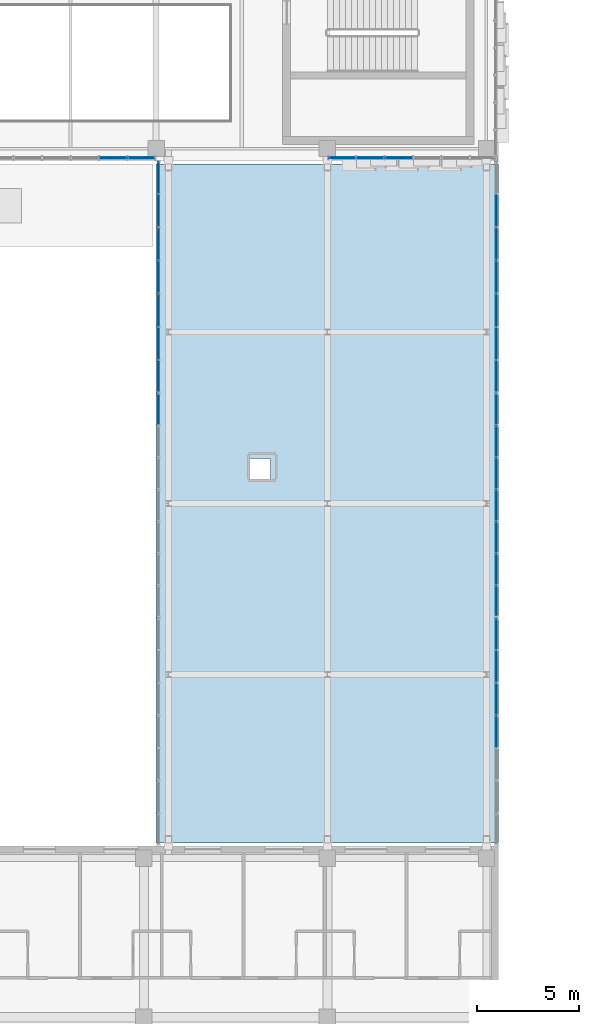
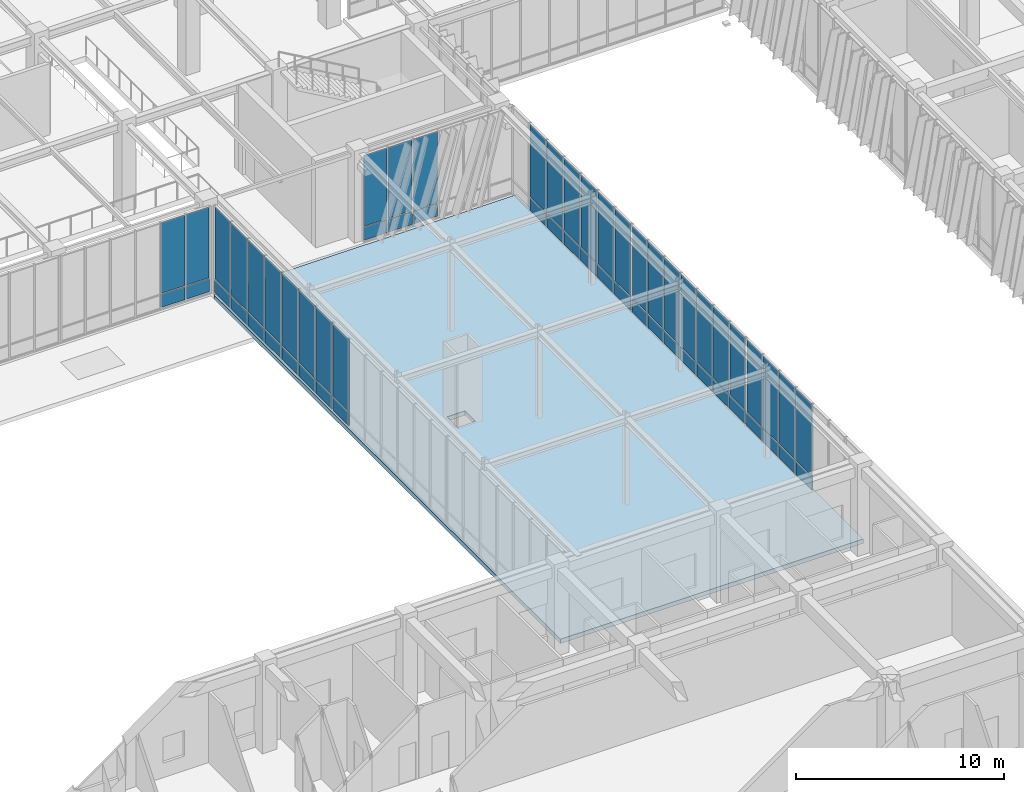
# One storey, part 89 of 139: 60 plates, 1 slab, 7 elements without a shape of their own.
"""IFC4 building model written with IfcOpenShell, lengths in metres."""

from ifc_helpers import new_model, si_unit, direction, frame, origin, origin_2d, place, context, subcontext, project, spatial, polyline, rectangle, outline, extrude, material, layer, layer_set, type_object, element, aggregate, save


model = new_model("IFC4")

# Units and contexts
model_context = context("Model", 3, precision=1e-05, world=origin(), true_north=direction((0.0, 1.0)))
body_context = subcontext(model_context, "Body", "Model", "MODEL_VIEW")
ifc_project = project(units=[si_unit("LENGTHUNIT", "METRE"), si_unit("AREAUNIT", "SQUARE_METRE"), si_unit("VOLUMEUNIT", "CUBIC_METRE"), si_unit("PLANEANGLEUNIT", "RADIAN"), si_unit("MASSUNIT", "GRAM", prefix="KILO")], contexts=[model_context])

# Site, building, storey
site_placement = place(None, origin())
site = spatial("IfcSite", under=ifc_project, at=site_placement, CompositionType="ELEMENT")
building_placement = place(site_placement, origin())
building = spatial("IfcBuilding", under=site, at=building_placement, Name="Zayran Congress Hotel", CompositionType="ELEMENT")
storey_placement = place(building_placement, frame((0.0, 0.0, 5.39990234375)))
storey = spatial("IfcBuildingStorey", under=building, at=storey_placement, Name="L01", CompositionType="ELEMENT", Elevation=5.39990234375)

# Slab
ifc_material_1 = material(Name="Concrete C40/50", Category="concrete")
ifc_layer_1 = layer(ifc_material_1, 0.25)
ifc_layer_set_1 = layer_set([ifc_layer_1], Name="Concrete C40/50")
slab_type = type_object("IfcSlabType", Name="SL-BR-250", PredefinedType="FLOOR", material=ifc_layer_set_1)
slab_placement = place(storey_placement, frame((0.0, 0.0, -0.25)))
element("IfcSlab", 1, at=slab_placement, inside=storey, type_object=slab_type, Name="SLB-BR2-L01", PredefinedType="FLOOR", context=body_context, shape_type="SweptSolid", body=[
    extrude(outline(polyline([(75.60009765625, 34.14990234375), (92.39990234375, 34.14990234375), (92.39990234375, 67.449951171875), (75.60009765625, 67.449951171875), (75.60009765625, 34.14990234375)]), holes=[polyline([(80.199951171875, 52.0), (81.199951171875, 52.0), (81.199951171875, 53.0), (80.199951171875, 53.0), (80.199951171875, 52.0)])]), origin(), (0.0, 0.0, 1.0), 0.25),
])

# Curtain wall, plates
ifc_material_2 = material(Name="Anodised aluminium and low-E insulated glass", Category="aluminium")
ifc_layer_2 = layer(ifc_material_2, 0.179931640625)
ifc_layer_set_2 = layer_set([ifc_layer_2], Name="Anodised aluminium and low-E insulated glass")
curtain_wall_type_1 = type_object("IfcCurtainWallType", Name="CW-V1S-L01-CW-12-8380-5080", PredefinedType="USERDEFINED", material=ifc_layer_set_2)
curtain_wall_1_placement = place(storey_placement, origin())
curtain_wall_1 = element("IfcCurtainWall", 2, at=curtain_wall_1_placement, inside=storey, type_object=curtain_wall_type_1, Name="CW-V1S-L01-7", ObjectType="CURTAIN WALL", PredefinedType="USERDEFINED")
ifc_layer_3 = layer(ifc_material_2, 0.028076171875)
ifc_layer_set_3 = layer_set([ifc_layer_3], Name="Anodised aluminium and low-E insulated glass")
plate_type_1 = type_object("IfcPlateType", Name="CWP-GL-1277-4150", PredefinedType="CURTAIN_PANEL", material=ifc_layer_set_3)
plate_1_placement = place(storey_placement, frame((73.4951171875, 67.75, 0.8701171875), z_axis=(0.0, 0.0, 1.0), x_axis=(1.0, 0.0, 0.0)))
plate_1 = element("IfcPlate", 3, at=plate_1_placement, type_object=plate_type_1, Name="CW-12 Glazed Panel 5", PredefinedType="CURTAIN_PANEL", context=body_context, shape_type="SweptSolid", body=[
    extrude(rectangle(XDim=1.316650390625, YDim=0.028076171875, at=origin_2d()), origin(), (0.0, 0.0, 1.0), 4.14990234375),
])
plate_2_placement = place(storey_placement, frame((74.87158203125, 67.75, 0.8701171875), z_axis=(0.0, 0.0, 1.0), x_axis=(1.0, 0.0, 0.0)))
plate_2 = element("IfcPlate", 4, at=plate_2_placement, type_object=plate_type_1, Name="CW-12 Glazed Panel 6", PredefinedType="CURTAIN_PANEL", context=body_context, shape_type="SweptSolid", body=[
    extrude(rectangle(XDim=1.276611328125, YDim=0.028076171875, at=origin_2d()), origin(), (0.0, 0.0, 1.0), 4.14990234375),
])

ifc_layer_4 = layer(ifc_material_2, 0.179931640625)
ifc_layer_set_4 = layer_set([ifc_layer_4], Name="Anodised aluminium and low-E insulated glass")
curtain_wall_type_2 = type_object("IfcCurtainWallType", Name="CW-V1S-L01-CW-11-8380-5080", PredefinedType="USERDEFINED", material=ifc_layer_set_4)
curtain_wall_2_placement = place(storey_placement, origin())
curtain_wall_2 = element("IfcCurtainWall", 5, at=curtain_wall_2_placement, inside=storey, type_object=curtain_wall_type_2, Name="CW-V1S-L01-9", ObjectType="CURTAIN WALL", PredefinedType="USERDEFINED")
plate_3_placement = place(storey_placement, frame((84.728271484375, 67.75, 0.8701171875), z_axis=(0.0, 0.0, 1.0), x_axis=(1.0, 0.0, 0.0)))
plate_3 = element("IfcPlate", 6, at=plate_3_placement, type_object=plate_type_1, Name="CW-11 Glazed Panel 1", PredefinedType="CURTAIN_PANEL", context=body_context, shape_type="SweptSolid", body=[
    extrude(rectangle(XDim=1.276611328125, YDim=0.028076171875, at=origin_2d()), origin(), (0.0, 0.0, 1.0), 4.14990234375),
])
plate_4_placement = place(storey_placement, frame((86.10498046875, 67.75, 0.8701171875), z_axis=(0.0, 0.0, 1.0), x_axis=(1.0, 0.0, 0.0)))
plate_4 = element("IfcPlate", 7, at=plate_4_placement, type_object=plate_type_1, Name="CW-11 Glazed Panel 2", PredefinedType="CURTAIN_PANEL", context=body_context, shape_type="SweptSolid", body=[
    extrude(rectangle(XDim=1.316650390625, YDim=0.028076171875, at=origin_2d()), origin(), (0.0, 0.0, 1.0), 4.14990234375),
])
plate_5_placement = place(storey_placement, frame((87.501708984375, 67.75, 0.8701171875), z_axis=(0.0, 0.0, 1.0), x_axis=(1.0, 0.0, 0.0)))
plate_5 = element("IfcPlate", 8, at=plate_5_placement, type_object=plate_type_1, Name="CW-11 Glazed Panel 3", PredefinedType="CURTAIN_PANEL", context=body_context, shape_type="SweptSolid", body=[
    extrude(rectangle(XDim=1.316650390625, YDim=0.028076171875, at=origin_2d()), origin(), (0.0, 0.0, 1.0), 4.14990234375),
])

# Plate
ifc_material_3 = material(Name="Insulated warm bronze aluminium spandrel panel", Category="aluminium")
ifc_layer_5 = layer(ifc_material_3, 0.06005859375)
ifc_layer_set_5 = layer_set([ifc_layer_5], Name="Insulated warm bronze aluminium spandrel panel")
plate_type_2 = type_object("IfcPlateType", Name="CWP-SP-1277-750", PredefinedType="CURTAIN_PANEL", material=ifc_layer_set_5)
plate_6_placement = place(storey_placement, frame((73.4951171875, 67.75, 0.06005859375), z_axis=(0.0, 0.0, 1.0), x_axis=(1.0, 0.0, 0.0)))
plate_6 = element("IfcPlate", 9, at=plate_6_placement, type_object=plate_type_2, Name="CW-12 Spandrel Panel 5", PredefinedType="CURTAIN_PANEL", context=body_context, shape_type="SweptSolid", body=[
    extrude(rectangle(XDim=1.316650390625, YDim=0.06005859375, at=origin_2d()), origin(), (0.0, 0.0, 1.0), 0.75),
])

plate_7_placement = place(storey_placement, frame((74.87158203125, 67.75, 0.06005859375), z_axis=(0.0, 0.0, 1.0), x_axis=(1.0, 0.0, 0.0)))
plate_7 = element("IfcPlate", 10, at=plate_7_placement, type_object=plate_type_2, Name="CW-12 Spandrel Panel 6", PredefinedType="CURTAIN_PANEL", context=body_context, shape_type="SweptSolid", body=[
    extrude(rectangle(XDim=1.276611328125, YDim=0.06005859375, at=origin_2d()), origin(), (0.0, 0.0, 1.0), 0.75),
])

aggregate(curtain_wall_1, [plate_6, plate_1, plate_7, plate_2])

plate_8_placement = place(storey_placement, frame((84.728271484375, 67.75, 0.06005859375), z_axis=(0.0, 0.0, 1.0), x_axis=(1.0, 0.0, 0.0)))
plate_8 = element("IfcPlate", 11, at=plate_8_placement, type_object=plate_type_2, Name="CW-11 Spandrel Panel 1", PredefinedType="CURTAIN_PANEL", context=body_context, shape_type="SweptSolid", body=[
    extrude(rectangle(XDim=1.276611328125, YDim=0.06005859375, at=origin_2d()), origin(), (0.0, 0.0, 1.0), 0.75),
])

plate_9_placement = place(storey_placement, frame((86.10498046875, 67.75, 0.06005859375), z_axis=(0.0, 0.0, 1.0), x_axis=(1.0, 0.0, 0.0)))
plate_9 = element("IfcPlate", 12, at=plate_9_placement, type_object=plate_type_2, Name="CW-11 Spandrel Panel 2", PredefinedType="CURTAIN_PANEL", context=body_context, shape_type="SweptSolid", body=[
    extrude(rectangle(XDim=1.316650390625, YDim=0.06005859375, at=origin_2d()), origin(), (0.0, 0.0, 1.0), 0.75),
])

plate_10_placement = place(storey_placement, frame((87.501708984375, 67.75, 0.06005859375), z_axis=(0.0, 0.0, 1.0), x_axis=(1.0, 0.0, 0.0)))
plate_10 = element("IfcPlate", 13, at=plate_10_placement, type_object=plate_type_2, Name="CW-11 Spandrel Panel 3", PredefinedType="CURTAIN_PANEL", context=body_context, shape_type="SweptSolid", body=[
    extrude(rectangle(XDim=1.316650390625, YDim=0.06005859375, at=origin_2d()), origin(), (0.0, 0.0, 1.0), 0.75),
])

aggregate(curtain_wall_2, [plate_8, plate_3, plate_9, plate_4, plate_10, plate_5])

# Curtain wall, plates
ifc_layer_6 = layer(ifc_material_2, 0.179931640625)
ifc_layer_set_6 = layer_set([ifc_layer_6], Name="Anodised aluminium and low-E insulated glass")
curtain_wall_type_3 = type_object("IfcCurtainWallType", Name="CW-BR2-L01-CW-BR2-11200-5160", PredefinedType="USERDEFINED", material=ifc_layer_set_6)
curtain_wall_3_placement = place(storey_placement, origin())
curtain_wall_3 = element("IfcCurtainWall", 14, at=curtain_wall_3_placement, inside=storey, type_object=curtain_wall_type_3, Name="CW-BR2E-L01-0", ObjectType="CURTAIN WALL", PredefinedType="USERDEFINED")
ifc_layer_7 = layer(ifc_material_3, 0.06005859375)
ifc_layer_set_7 = layer_set([ifc_layer_7], Name="Insulated warm bronze aluminium spandrel panel")
plate_type_3 = type_object("IfcPlateType", Name="CWP-SP-1480-750", PredefinedType="CURTAIN_PANEL", material=ifc_layer_set_7)
plate_11_placement = place(storey_placement, frame((92.280029296875, 39.60009765625, 0.06005859375), z_axis=(0.0, 0.0, 1.0), x_axis=(0.0, 1.0, 0.0)))
plate_11 = element("IfcPlate", 15, at=plate_11_placement, type_object=plate_type_3, Name="CW-BR2 Spandrel Panel 4", PredefinedType="CURTAIN_PANEL", context=body_context, shape_type="SweptSolid", body=[
    extrude(rectangle(XDim=1.52001953125, YDim=0.06005859375, at=origin_2d()), origin(), (0.0, 0.0, 1.0), 0.75),
])
plate_12_placement = place(storey_placement, frame((92.280029296875, 41.199951171875, 0.06005859375), z_axis=(0.0, 0.0, 1.0), x_axis=(0.0, 1.0, 0.0)))
plate_12 = element("IfcPlate", 16, at=plate_12_placement, type_object=plate_type_3, Name="CW-BR2 Spandrel Panel 5", PredefinedType="CURTAIN_PANEL", context=body_context, shape_type="SweptSolid", body=[
    extrude(rectangle(XDim=1.52001953125, YDim=0.06005859375, at=origin_2d()), origin(), (0.0, 0.0, 1.0), 0.75),
])
plate_13_placement = place(storey_placement, frame((92.280029296875, 42.800048828125, 0.06005859375), z_axis=(0.0, 0.0, 1.0), x_axis=(0.0, 1.0, 0.0)))
plate_13 = element("IfcPlate", 17, at=plate_13_placement, type_object=plate_type_3, Name="CW-BR2 Spandrel Panel 6", PredefinedType="CURTAIN_PANEL", context=body_context, shape_type="SweptSolid", body=[
    extrude(rectangle(XDim=1.52001953125, YDim=0.06005859375, at=origin_2d()), origin(), (0.0, 0.0, 1.0), 0.75),
])
plate_14_placement = place(storey_placement, frame((92.280029296875, 44.3798828125, 0.06005859375), z_axis=(0.0, 0.0, 1.0), x_axis=(0.0, 1.0, 0.0)))
plate_14 = element("IfcPlate", 18, at=plate_14_placement, type_object=plate_type_3, Name="CW-BR2 Spandrel Panel 7", PredefinedType="CURTAIN_PANEL", context=body_context, shape_type="SweptSolid", body=[
    extrude(rectangle(XDim=1.47998046875, YDim=0.06005859375, at=origin_2d()), origin(), (0.0, 0.0, 1.0), 0.75),
])

# Curtain wall, plate
ifc_layer_8 = layer(ifc_material_2, 0.179931640625)
ifc_layer_set_8 = layer_set([ifc_layer_8], Name="Anodised aluminium and low-E insulated glass")
curtain_wall_type_4 = type_object("IfcCurtainWallType", Name="CW-BR2-L01-CW-BR2-11000-5160", PredefinedType="USERDEFINED", material=ifc_layer_set_8)
curtain_wall_4_placement = place(storey_placement, origin())
curtain_wall_4 = element("IfcCurtainWall", 19, at=curtain_wall_4_placement, inside=storey, type_object=curtain_wall_type_4, Name="CW-BR2W-L01-1", ObjectType="CURTAIN WALL", PredefinedType="USERDEFINED")
ifc_layer_9 = layer(ifc_material_3, 0.06005859375)
ifc_layer_set_9 = layer_set([ifc_layer_9], Name="Insulated warm bronze aluminium spandrel panel")
plate_type_4 = type_object("IfcPlateType", Name="CWP-SP-1451-750", PredefinedType="CURTAIN_PANEL", material=ifc_layer_set_9)
plate_15_placement = place(storey_placement, frame((75.719970703125, 55.394287109375, 0.06005859375), z_axis=(0.0, 0.0, 1.0), x_axis=(0.0, 1.0, 0.0)))
plate_15 = element("IfcPlate", 20, at=plate_15_placement, type_object=plate_type_4, Name="CW-BR2 Spandrel Panel 1", PredefinedType="CURTAIN_PANEL", context=body_context, shape_type="SweptSolid", body=[
    extrude(rectangle(XDim=1.451416015625, YDim=0.06005859375, at=origin_2d()), origin(), (0.0, 0.0, 1.0), 0.75),
])

# Curtain wall, plates
curtain_wall_5_placement = place(storey_placement, origin())
curtain_wall_5 = element("IfcCurtainWall", 21, at=curtain_wall_5_placement, inside=storey, type_object=curtain_wall_type_4, Name="CW-BR2E-L01-1", ObjectType="CURTAIN WALL", PredefinedType="USERDEFINED")
plate_16_placement = place(storey_placement, frame((92.280029296875, 46.005615234375, 0.06005859375), z_axis=(0.0, 0.0, 1.0), x_axis=(0.0, 1.0, 0.0)))
plate_16 = element("IfcPlate", 22, at=plate_16_placement, type_object=plate_type_4, Name="CW-BR2 Spandrel Panel 1", PredefinedType="CURTAIN_PANEL", context=body_context, shape_type="SweptSolid", body=[
    extrude(rectangle(XDim=1.451416015625, YDim=0.06005859375, at=origin_2d()), origin(), (0.0, 0.0, 1.0), 0.75),
])
plate_17_placement = place(storey_placement, frame((92.280029296875, 47.55712890625, 0.06005859375), z_axis=(0.0, 0.0, 1.0), x_axis=(0.0, 1.0, 0.0)))
plate_17 = element("IfcPlate", 23, at=plate_17_placement, type_object=plate_type_4, Name="CW-BR2 Spandrel Panel 2", PredefinedType="CURTAIN_PANEL", context=body_context, shape_type="SweptSolid", body=[
    extrude(rectangle(XDim=1.491455078125, YDim=0.06005859375, at=origin_2d()), origin(), (0.0, 0.0, 1.0), 0.75),
])
plate_18_placement = place(storey_placement, frame((92.280029296875, 49.128662109375, 0.06005859375), z_axis=(0.0, 0.0, 1.0), x_axis=(0.0, 1.0, 0.0)))
plate_18 = element("IfcPlate", 24, at=plate_18_placement, type_object=plate_type_4, Name="CW-BR2 Spandrel Panel 3", PredefinedType="CURTAIN_PANEL", context=body_context, shape_type="SweptSolid", body=[
    extrude(rectangle(XDim=1.491455078125, YDim=0.06005859375, at=origin_2d()), origin(), (0.0, 0.0, 1.0), 0.75),
])
plate_19_placement = place(storey_placement, frame((92.280029296875, 50.699951171875, 0.06005859375), z_axis=(0.0, 0.0, 1.0), x_axis=(0.0, 1.0, 0.0)))
plate_19 = element("IfcPlate", 25, at=plate_19_placement, type_object=plate_type_4, Name="CW-BR2 Spandrel Panel 4", PredefinedType="CURTAIN_PANEL", context=body_context, shape_type="SweptSolid", body=[
    extrude(rectangle(XDim=1.491455078125, YDim=0.06005859375, at=origin_2d()), origin(), (0.0, 0.0, 1.0), 0.75),
])
plate_20_placement = place(storey_placement, frame((92.280029296875, 52.271484375, 0.06005859375), z_axis=(0.0, 0.0, 1.0), x_axis=(0.0, 1.0, 0.0)))
plate_20 = element("IfcPlate", 26, at=plate_20_placement, type_object=plate_type_4, Name="CW-BR2 Spandrel Panel 5", PredefinedType="CURTAIN_PANEL", context=body_context, shape_type="SweptSolid", body=[
    extrude(rectangle(XDim=1.491455078125, YDim=0.06005859375, at=origin_2d()), origin(), (0.0, 0.0, 1.0), 0.75),
])
plate_21_placement = place(storey_placement, frame((92.280029296875, 53.843017578125, 0.06005859375), z_axis=(0.0, 0.0, 1.0), x_axis=(0.0, 1.0, 0.0)))
plate_21 = element("IfcPlate", 27, at=plate_21_placement, type_object=plate_type_4, Name="CW-BR2 Spandrel Panel 6", PredefinedType="CURTAIN_PANEL", context=body_context, shape_type="SweptSolid", body=[
    extrude(rectangle(XDim=1.491455078125, YDim=0.06005859375, at=origin_2d()), origin(), (0.0, 0.0, 1.0), 0.75),
])
plate_22_placement = place(storey_placement, frame((92.280029296875, 55.394287109375, 0.06005859375), z_axis=(0.0, 0.0, 1.0), x_axis=(0.0, 1.0, 0.0)))
plate_22 = element("IfcPlate", 28, at=plate_22_placement, type_object=plate_type_4, Name="CW-BR2 Spandrel Panel 7", PredefinedType="CURTAIN_PANEL", context=body_context, shape_type="SweptSolid", body=[
    extrude(rectangle(XDim=1.451416015625, YDim=0.06005859375, at=origin_2d()), origin(), (0.0, 0.0, 1.0), 0.75),
])

ifc_layer_10 = layer(ifc_material_2, 0.179931640625)
ifc_layer_set_10 = layer_set([ifc_layer_10], Name="Anodised aluminium and low-E insulated glass")
curtain_wall_type_5 = type_object("IfcCurtainWallType", Name="CW-BR2-L01-CW-BR2-11400-5160", PredefinedType="USERDEFINED", material=ifc_layer_set_10)
curtain_wall_6_placement = place(storey_placement, origin())
curtain_wall_6 = element("IfcCurtainWall", 29, at=curtain_wall_6_placement, inside=storey, type_object=curtain_wall_type_5, Name="CW-BR2W-L01-2", ObjectType="CURTAIN WALL", PredefinedType="USERDEFINED")
ifc_layer_11 = layer(ifc_material_3, 0.06005859375)
ifc_layer_set_11 = layer_set([ifc_layer_11], Name="Insulated warm bronze aluminium spandrel panel")
plate_type_5 = type_object("IfcPlateType", Name="CWP-SP-1509-750", PredefinedType="CURTAIN_PANEL", material=ifc_layer_set_11)
plate_23_placement = place(storey_placement, frame((75.719970703125, 66.765625, 0.06005859375), z_axis=(0.0, 0.0, 1.0), x_axis=(0.0, 1.0, 0.0)))
plate_23 = element("IfcPlate", 30, at=plate_23_placement, type_object=plate_type_5, Name="CW-BR2 Spandrel Panel 1", PredefinedType="CURTAIN_PANEL", context=body_context, shape_type="SweptSolid", body=[
    extrude(rectangle(XDim=1.508544921875, YDim=0.06005859375, at=origin_2d()), origin(), (0.0, 0.0, 1.0), 0.75),
])
plate_24_placement = place(storey_placement, frame((75.719970703125, 65.156982421875, 0.06005859375), z_axis=(0.0, 0.0, 1.0), x_axis=(0.0, 1.0, 0.0)))
plate_24 = element("IfcPlate", 31, at=plate_24_placement, type_object=plate_type_5, Name="CW-BR2 Spandrel Panel 2", PredefinedType="CURTAIN_PANEL", context=body_context, shape_type="SweptSolid", body=[
    extrude(rectangle(XDim=1.548583984375, YDim=0.06005859375, at=origin_2d()), origin(), (0.0, 0.0, 1.0), 0.75),
])
plate_25_placement = place(storey_placement, frame((75.719970703125, 63.528564453125, 0.06005859375), z_axis=(0.0, 0.0, 1.0), x_axis=(0.0, 1.0, 0.0)))
plate_25 = element("IfcPlate", 32, at=plate_25_placement, type_object=plate_type_5, Name="CW-BR2 Spandrel Panel 3", PredefinedType="CURTAIN_PANEL", context=body_context, shape_type="SweptSolid", body=[
    extrude(rectangle(XDim=1.548583984375, YDim=0.06005859375, at=origin_2d()), origin(), (0.0, 0.0, 1.0), 0.75),
])
plate_26_placement = place(storey_placement, frame((75.719970703125, 61.89990234375, 0.06005859375), z_axis=(0.0, 0.0, 1.0), x_axis=(0.0, 1.0, 0.0)))
plate_26 = element("IfcPlate", 33, at=plate_26_placement, type_object=plate_type_5, Name="CW-BR2 Spandrel Panel 4", PredefinedType="CURTAIN_PANEL", context=body_context, shape_type="SweptSolid", body=[
    extrude(rectangle(XDim=1.548583984375, YDim=0.06005859375, at=origin_2d()), origin(), (0.0, 0.0, 1.0), 0.75),
])
plate_27_placement = place(storey_placement, frame((75.719970703125, 60.271484375, 0.06005859375), z_axis=(0.0, 0.0, 1.0), x_axis=(0.0, 1.0, 0.0)))
plate_27 = element("IfcPlate", 34, at=plate_27_placement, type_object=plate_type_5, Name="CW-BR2 Spandrel Panel 5", PredefinedType="CURTAIN_PANEL", context=body_context, shape_type="SweptSolid", body=[
    extrude(rectangle(XDim=1.548583984375, YDim=0.06005859375, at=origin_2d()), origin(), (0.0, 0.0, 1.0), 0.75),
])
plate_28_placement = place(storey_placement, frame((75.719970703125, 58.642822265625, 0.06005859375), z_axis=(0.0, 0.0, 1.0), x_axis=(0.0, 1.0, 0.0)))
plate_28 = element("IfcPlate", 35, at=plate_28_placement, type_object=plate_type_5, Name="CW-BR2 Spandrel Panel 6", PredefinedType="CURTAIN_PANEL", context=body_context, shape_type="SweptSolid", body=[
    extrude(rectangle(XDim=1.548583984375, YDim=0.06005859375, at=origin_2d()), origin(), (0.0, 0.0, 1.0), 0.75),
])
plate_29_placement = place(storey_placement, frame((75.719970703125, 57.0341796875, 0.06005859375), z_axis=(0.0, 0.0, 1.0), x_axis=(0.0, 1.0, 0.0)))
plate_29 = element("IfcPlate", 36, at=plate_29_placement, type_object=plate_type_5, Name="CW-BR2 Spandrel Panel 7", PredefinedType="CURTAIN_PANEL", context=body_context, shape_type="SweptSolid", body=[
    extrude(rectangle(XDim=1.508544921875, YDim=0.06005859375, at=origin_2d()), origin(), (0.0, 0.0, 1.0), 0.75),
])

curtain_wall_7_placement = place(storey_placement, origin())
curtain_wall_7 = element("IfcCurtainWall", 37, at=curtain_wall_7_placement, inside=storey, type_object=curtain_wall_type_5, Name="CW-BR2E-L01-2", ObjectType="CURTAIN WALL", PredefinedType="USERDEFINED")
plate_30_placement = place(storey_placement, frame((92.280029296875, 57.0341796875, 0.06005859375), z_axis=(0.0, 0.0, 1.0), x_axis=(0.0, 1.0, 0.0)))
plate_30 = element("IfcPlate", 38, at=plate_30_placement, type_object=plate_type_5, Name="CW-BR2 Spandrel Panel 1", PredefinedType="CURTAIN_PANEL", context=body_context, shape_type="SweptSolid", body=[
    extrude(rectangle(XDim=1.508544921875, YDim=0.06005859375, at=origin_2d()), origin(), (0.0, 0.0, 1.0), 0.75),
])
plate_31_placement = place(storey_placement, frame((92.280029296875, 58.642822265625, 0.06005859375), z_axis=(0.0, 0.0, 1.0), x_axis=(0.0, 1.0, 0.0)))
plate_31 = element("IfcPlate", 39, at=plate_31_placement, type_object=plate_type_5, Name="CW-BR2 Spandrel Panel 2", PredefinedType="CURTAIN_PANEL", context=body_context, shape_type="SweptSolid", body=[
    extrude(rectangle(XDim=1.548583984375, YDim=0.06005859375, at=origin_2d()), origin(), (0.0, 0.0, 1.0), 0.75),
])
plate_32_placement = place(storey_placement, frame((92.280029296875, 60.271484375, 0.06005859375), z_axis=(0.0, 0.0, 1.0), x_axis=(0.0, 1.0, 0.0)))
plate_32 = element("IfcPlate", 40, at=plate_32_placement, type_object=plate_type_5, Name="CW-BR2 Spandrel Panel 3", PredefinedType="CURTAIN_PANEL", context=body_context, shape_type="SweptSolid", body=[
    extrude(rectangle(XDim=1.548583984375, YDim=0.06005859375, at=origin_2d()), origin(), (0.0, 0.0, 1.0), 0.75),
])
plate_33_placement = place(storey_placement, frame((92.280029296875, 61.89990234375, 0.06005859375), z_axis=(0.0, 0.0, 1.0), x_axis=(0.0, 1.0, 0.0)))
plate_33 = element("IfcPlate", 41, at=plate_33_placement, type_object=plate_type_5, Name="CW-BR2 Spandrel Panel 4", PredefinedType="CURTAIN_PANEL", context=body_context, shape_type="SweptSolid", body=[
    extrude(rectangle(XDim=1.548583984375, YDim=0.06005859375, at=origin_2d()), origin(), (0.0, 0.0, 1.0), 0.75),
])
plate_34_placement = place(storey_placement, frame((92.280029296875, 63.528564453125, 0.06005859375), z_axis=(0.0, 0.0, 1.0), x_axis=(0.0, 1.0, 0.0)))
plate_34 = element("IfcPlate", 42, at=plate_34_placement, type_object=plate_type_5, Name="CW-BR2 Spandrel Panel 5", PredefinedType="CURTAIN_PANEL", context=body_context, shape_type="SweptSolid", body=[
    extrude(rectangle(XDim=1.548583984375, YDim=0.06005859375, at=origin_2d()), origin(), (0.0, 0.0, 1.0), 0.75),
])
plate_35_placement = place(storey_placement, frame((92.280029296875, 65.156982421875, 0.06005859375), z_axis=(0.0, 0.0, 1.0), x_axis=(0.0, 1.0, 0.0)))
plate_35 = element("IfcPlate", 43, at=plate_35_placement, type_object=plate_type_5, Name="CW-BR2 Spandrel Panel 6", PredefinedType="CURTAIN_PANEL", context=body_context, shape_type="SweptSolid", body=[
    extrude(rectangle(XDim=1.548583984375, YDim=0.06005859375, at=origin_2d()), origin(), (0.0, 0.0, 1.0), 0.75),
])

# Plate
ifc_layer_12 = layer(ifc_material_2, 0.028076171875)
ifc_layer_set_12 = layer_set([ifc_layer_12], Name="Anodised aluminium and low-E insulated glass")
plate_type_6 = type_object("IfcPlateType", Name="CWP-GL-1480-4230", PredefinedType="CURTAIN_PANEL", material=ifc_layer_set_12)
plate_36_placement = place(storey_placement, frame((92.280029296875, 39.60009765625, 0.8701171875), z_axis=(0.0, 0.0, 1.0), x_axis=(0.0, 1.0, 0.0)))
plate_36 = element("IfcPlate", 44, at=plate_36_placement, type_object=plate_type_6, Name="CW-BR2 Glazed Panel 4", PredefinedType="CURTAIN_PANEL", context=body_context, shape_type="SweptSolid", body=[
    extrude(rectangle(XDim=1.52001953125, YDim=0.028076171875, at=origin_2d()), origin(), (0.0, 0.0, 1.0), 4.22998046875),
])

plate_37_placement = place(storey_placement, frame((92.280029296875, 41.199951171875, 0.8701171875), z_axis=(0.0, 0.0, 1.0), x_axis=(0.0, 1.0, 0.0)))
plate_37 = element("IfcPlate", 45, at=plate_37_placement, type_object=plate_type_6, Name="CW-BR2 Glazed Panel 5", PredefinedType="CURTAIN_PANEL", context=body_context, shape_type="SweptSolid", body=[
    extrude(rectangle(XDim=1.52001953125, YDim=0.028076171875, at=origin_2d()), origin(), (0.0, 0.0, 1.0), 4.22998046875),
])

plate_38_placement = place(storey_placement, frame((92.280029296875, 42.800048828125, 0.8701171875), z_axis=(0.0, 0.0, 1.0), x_axis=(0.0, 1.0, 0.0)))
plate_38 = element("IfcPlate", 46, at=plate_38_placement, type_object=plate_type_6, Name="CW-BR2 Glazed Panel 6", PredefinedType="CURTAIN_PANEL", context=body_context, shape_type="SweptSolid", body=[
    extrude(rectangle(XDim=1.52001953125, YDim=0.028076171875, at=origin_2d()), origin(), (0.0, 0.0, 1.0), 4.22998046875),
])

plate_39_placement = place(storey_placement, frame((92.280029296875, 44.3798828125, 0.8701171875), z_axis=(0.0, 0.0, 1.0), x_axis=(0.0, 1.0, 0.0)))
plate_39 = element("IfcPlate", 47, at=plate_39_placement, type_object=plate_type_6, Name="CW-BR2 Glazed Panel 7", PredefinedType="CURTAIN_PANEL", context=body_context, shape_type="SweptSolid", body=[
    extrude(rectangle(XDim=1.47998046875, YDim=0.028076171875, at=origin_2d()), origin(), (0.0, 0.0, 1.0), 4.22998046875),
])

aggregate(curtain_wall_3, [plate_11, plate_36, plate_12, plate_37, plate_13, plate_38, plate_14, plate_39])

ifc_layer_13 = layer(ifc_material_2, 0.028076171875)
ifc_layer_set_13 = layer_set([ifc_layer_13], Name="Anodised aluminium and low-E insulated glass")
plate_type_7 = type_object("IfcPlateType", Name="CWP-GL-1451-4230", PredefinedType="CURTAIN_PANEL", material=ifc_layer_set_13)
plate_40_placement = place(storey_placement, frame((75.719970703125, 55.394287109375, 0.8701171875), z_axis=(0.0, 0.0, 1.0), x_axis=(0.0, 1.0, 0.0)))
plate_40 = element("IfcPlate", 48, at=plate_40_placement, type_object=plate_type_7, Name="CW-BR2 Glazed Panel 1", PredefinedType="CURTAIN_PANEL", context=body_context, shape_type="SweptSolid", body=[
    extrude(rectangle(XDim=1.451416015625, YDim=0.028076171875, at=origin_2d()), origin(), (0.0, 0.0, 1.0), 4.22998046875),
])

aggregate(curtain_wall_4, [plate_15, plate_40])

plate_41_placement = place(storey_placement, frame((92.280029296875, 46.005615234375, 0.8701171875), z_axis=(0.0, 0.0, 1.0), x_axis=(0.0, 1.0, 0.0)))
plate_41 = element("IfcPlate", 49, at=plate_41_placement, type_object=plate_type_7, Name="CW-BR2 Glazed Panel 1", PredefinedType="CURTAIN_PANEL", context=body_context, shape_type="SweptSolid", body=[
    extrude(rectangle(XDim=1.451416015625, YDim=0.028076171875, at=origin_2d()), origin(), (0.0, 0.0, 1.0), 4.22998046875),
])

plate_42_placement = place(storey_placement, frame((92.280029296875, 47.55712890625, 0.8701171875), z_axis=(0.0, 0.0, 1.0), x_axis=(0.0, 1.0, 0.0)))
plate_42 = element("IfcPlate", 50, at=plate_42_placement, type_object=plate_type_7, Name="CW-BR2 Glazed Panel 2", PredefinedType="CURTAIN_PANEL", context=body_context, shape_type="SweptSolid", body=[
    extrude(rectangle(XDim=1.491455078125, YDim=0.028076171875, at=origin_2d()), origin(), (0.0, 0.0, 1.0), 4.22998046875),
])

plate_43_placement = place(storey_placement, frame((92.280029296875, 49.128662109375, 0.8701171875), z_axis=(0.0, 0.0, 1.0), x_axis=(0.0, 1.0, 0.0)))
plate_43 = element("IfcPlate", 51, at=plate_43_placement, type_object=plate_type_7, Name="CW-BR2 Glazed Panel 3", PredefinedType="CURTAIN_PANEL", context=body_context, shape_type="SweptSolid", body=[
    extrude(rectangle(XDim=1.491455078125, YDim=0.028076171875, at=origin_2d()), origin(), (0.0, 0.0, 1.0), 4.22998046875),
])

plate_44_placement = place(storey_placement, frame((92.280029296875, 50.699951171875, 0.8701171875), z_axis=(0.0, 0.0, 1.0), x_axis=(0.0, 1.0, 0.0)))
plate_44 = element("IfcPlate", 52, at=plate_44_placement, type_object=plate_type_7, Name="CW-BR2 Glazed Panel 4", PredefinedType="CURTAIN_PANEL", context=body_context, shape_type="SweptSolid", body=[
    extrude(rectangle(XDim=1.491455078125, YDim=0.028076171875, at=origin_2d()), origin(), (0.0, 0.0, 1.0), 4.22998046875),
])

plate_45_placement = place(storey_placement, frame((92.280029296875, 52.271484375, 0.8701171875), z_axis=(0.0, 0.0, 1.0), x_axis=(0.0, 1.0, 0.0)))
plate_45 = element("IfcPlate", 53, at=plate_45_placement, type_object=plate_type_7, Name="CW-BR2 Glazed Panel 5", PredefinedType="CURTAIN_PANEL", context=body_context, shape_type="SweptSolid", body=[
    extrude(rectangle(XDim=1.491455078125, YDim=0.028076171875, at=origin_2d()), origin(), (0.0, 0.0, 1.0), 4.22998046875),
])

plate_46_placement = place(storey_placement, frame((92.280029296875, 53.843017578125, 0.8701171875), z_axis=(0.0, 0.0, 1.0), x_axis=(0.0, 1.0, 0.0)))
plate_46 = element("IfcPlate", 54, at=plate_46_placement, type_object=plate_type_7, Name="CW-BR2 Glazed Panel 6", PredefinedType="CURTAIN_PANEL", context=body_context, shape_type="SweptSolid", body=[
    extrude(rectangle(XDim=1.491455078125, YDim=0.028076171875, at=origin_2d()), origin(), (0.0, 0.0, 1.0), 4.22998046875),
])

plate_47_placement = place(storey_placement, frame((92.280029296875, 55.394287109375, 0.8701171875), z_axis=(0.0, 0.0, 1.0), x_axis=(0.0, 1.0, 0.0)))
plate_47 = element("IfcPlate", 55, at=plate_47_placement, type_object=plate_type_7, Name="CW-BR2 Glazed Panel 7", PredefinedType="CURTAIN_PANEL", context=body_context, shape_type="SweptSolid", body=[
    extrude(rectangle(XDim=1.451416015625, YDim=0.028076171875, at=origin_2d()), origin(), (0.0, 0.0, 1.0), 4.22998046875),
])

aggregate(curtain_wall_5, [plate_16, plate_41, plate_17, plate_42, plate_18, plate_43, plate_19, plate_44, plate_20, plate_45, plate_21, plate_46, plate_22, plate_47])

ifc_layer_14 = layer(ifc_material_2, 0.028076171875)
ifc_layer_set_14 = layer_set([ifc_layer_14], Name="Anodised aluminium and low-E insulated glass")
plate_type_8 = type_object("IfcPlateType", Name="CWP-GL-1509-4230", PredefinedType="CURTAIN_PANEL", material=ifc_layer_set_14)
plate_48_placement = place(storey_placement, frame((75.719970703125, 66.765625, 0.8701171875), z_axis=(0.0, 0.0, 1.0), x_axis=(0.0, 1.0, 0.0)))
plate_48 = element("IfcPlate", 56, at=plate_48_placement, type_object=plate_type_8, Name="CW-BR2 Glazed Panel 1", PredefinedType="CURTAIN_PANEL", context=body_context, shape_type="SweptSolid", body=[
    extrude(rectangle(XDim=1.508544921875, YDim=0.028076171875, at=origin_2d()), origin(), (0.0, 0.0, 1.0), 4.22998046875),
])

plate_49_placement = place(storey_placement, frame((75.719970703125, 65.156982421875, 0.8701171875), z_axis=(0.0, 0.0, 1.0), x_axis=(0.0, 1.0, 0.0)))
plate_49 = element("IfcPlate", 57, at=plate_49_placement, type_object=plate_type_8, Name="CW-BR2 Glazed Panel 2", PredefinedType="CURTAIN_PANEL", context=body_context, shape_type="SweptSolid", body=[
    extrude(rectangle(XDim=1.548583984375, YDim=0.028076171875, at=origin_2d()), origin(), (0.0, 0.0, 1.0), 4.22998046875),
])

plate_50_placement = place(storey_placement, frame((75.719970703125, 63.528564453125, 0.8701171875), z_axis=(0.0, 0.0, 1.0), x_axis=(0.0, 1.0, 0.0)))
plate_50 = element("IfcPlate", 58, at=plate_50_placement, type_object=plate_type_8, Name="CW-BR2 Glazed Panel 3", PredefinedType="CURTAIN_PANEL", context=body_context, shape_type="SweptSolid", body=[
    extrude(rectangle(XDim=1.548583984375, YDim=0.028076171875, at=origin_2d()), origin(), (0.0, 0.0, 1.0), 4.22998046875),
])

plate_51_placement = place(storey_placement, frame((75.719970703125, 61.89990234375, 0.8701171875), z_axis=(0.0, 0.0, 1.0), x_axis=(0.0, 1.0, 0.0)))
plate_51 = element("IfcPlate", 59, at=plate_51_placement, type_object=plate_type_8, Name="CW-BR2 Glazed Panel 4", PredefinedType="CURTAIN_PANEL", context=body_context, shape_type="SweptSolid", body=[
    extrude(rectangle(XDim=1.548583984375, YDim=0.028076171875, at=origin_2d()), origin(), (0.0, 0.0, 1.0), 4.22998046875),
])

plate_52_placement = place(storey_placement, frame((75.719970703125, 60.271484375, 0.8701171875), z_axis=(0.0, 0.0, 1.0), x_axis=(0.0, 1.0, 0.0)))
plate_52 = element("IfcPlate", 60, at=plate_52_placement, type_object=plate_type_8, Name="CW-BR2 Glazed Panel 5", PredefinedType="CURTAIN_PANEL", context=body_context, shape_type="SweptSolid", body=[
    extrude(rectangle(XDim=1.548583984375, YDim=0.028076171875, at=origin_2d()), origin(), (0.0, 0.0, 1.0), 4.22998046875),
])

plate_53_placement = place(storey_placement, frame((75.719970703125, 58.642822265625, 0.8701171875), z_axis=(0.0, 0.0, 1.0), x_axis=(0.0, 1.0, 0.0)))
plate_53 = element("IfcPlate", 61, at=plate_53_placement, type_object=plate_type_8, Name="CW-BR2 Glazed Panel 6", PredefinedType="CURTAIN_PANEL", context=body_context, shape_type="SweptSolid", body=[
    extrude(rectangle(XDim=1.548583984375, YDim=0.028076171875, at=origin_2d()), origin(), (0.0, 0.0, 1.0), 4.22998046875),
])

plate_54_placement = place(storey_placement, frame((75.719970703125, 57.0341796875, 0.8701171875), z_axis=(0.0, 0.0, 1.0), x_axis=(0.0, 1.0, 0.0)))
plate_54 = element("IfcPlate", 62, at=plate_54_placement, type_object=plate_type_8, Name="CW-BR2 Glazed Panel 7", PredefinedType="CURTAIN_PANEL", context=body_context, shape_type="SweptSolid", body=[
    extrude(rectangle(XDim=1.508544921875, YDim=0.028076171875, at=origin_2d()), origin(), (0.0, 0.0, 1.0), 4.22998046875),
])

aggregate(curtain_wall_6, [plate_23, plate_48, plate_24, plate_49, plate_25, plate_50, plate_26, plate_51, plate_27, plate_52, plate_28, plate_53, plate_29, plate_54])

plate_55_placement = place(storey_placement, frame((92.280029296875, 57.0341796875, 0.8701171875), z_axis=(0.0, 0.0, 1.0), x_axis=(0.0, 1.0, 0.0)))
plate_55 = element("IfcPlate", 63, at=plate_55_placement, type_object=plate_type_8, Name="CW-BR2 Glazed Panel 1", PredefinedType="CURTAIN_PANEL", context=body_context, shape_type="SweptSolid", body=[
    extrude(rectangle(XDim=1.508544921875, YDim=0.028076171875, at=origin_2d()), origin(), (0.0, 0.0, 1.0), 4.22998046875),
])

plate_56_placement = place(storey_placement, frame((92.280029296875, 58.642822265625, 0.8701171875), z_axis=(0.0, 0.0, 1.0), x_axis=(0.0, 1.0, 0.0)))
plate_56 = element("IfcPlate", 64, at=plate_56_placement, type_object=plate_type_8, Name="CW-BR2 Glazed Panel 2", PredefinedType="CURTAIN_PANEL", context=body_context, shape_type="SweptSolid", body=[
    extrude(rectangle(XDim=1.548583984375, YDim=0.028076171875, at=origin_2d()), origin(), (0.0, 0.0, 1.0), 4.22998046875),
])

plate_57_placement = place(storey_placement, frame((92.280029296875, 60.271484375, 0.8701171875), z_axis=(0.0, 0.0, 1.0), x_axis=(0.0, 1.0, 0.0)))
plate_57 = element("IfcPlate", 65, at=plate_57_placement, type_object=plate_type_8, Name="CW-BR2 Glazed Panel 3", PredefinedType="CURTAIN_PANEL", context=body_context, shape_type="SweptSolid", body=[
    extrude(rectangle(XDim=1.548583984375, YDim=0.028076171875, at=origin_2d()), origin(), (0.0, 0.0, 1.0), 4.22998046875),
])

plate_58_placement = place(storey_placement, frame((92.280029296875, 61.89990234375, 0.8701171875), z_axis=(0.0, 0.0, 1.0), x_axis=(0.0, 1.0, 0.0)))
plate_58 = element("IfcPlate", 66, at=plate_58_placement, type_object=plate_type_8, Name="CW-BR2 Glazed Panel 4", PredefinedType="CURTAIN_PANEL", context=body_context, shape_type="SweptSolid", body=[
    extrude(rectangle(XDim=1.548583984375, YDim=0.028076171875, at=origin_2d()), origin(), (0.0, 0.0, 1.0), 4.22998046875),
])

plate_59_placement = place(storey_placement, frame((92.280029296875, 63.528564453125, 0.8701171875), z_axis=(0.0, 0.0, 1.0), x_axis=(0.0, 1.0, 0.0)))
plate_59 = element("IfcPlate", 67, at=plate_59_placement, type_object=plate_type_8, Name="CW-BR2 Glazed Panel 5", PredefinedType="CURTAIN_PANEL", context=body_context, shape_type="SweptSolid", body=[
    extrude(rectangle(XDim=1.548583984375, YDim=0.028076171875, at=origin_2d()), origin(), (0.0, 0.0, 1.0), 4.22998046875),
])

plate_60_placement = place(storey_placement, frame((92.280029296875, 65.156982421875, 0.8701171875), z_axis=(0.0, 0.0, 1.0), x_axis=(0.0, 1.0, 0.0)))
plate_60 = element("IfcPlate", 68, at=plate_60_placement, type_object=plate_type_8, Name="CW-BR2 Glazed Panel 6", PredefinedType="CURTAIN_PANEL", context=body_context, shape_type="SweptSolid", body=[
    extrude(rectangle(XDim=1.548583984375, YDim=0.028076171875, at=origin_2d()), origin(), (0.0, 0.0, 1.0), 4.22998046875),
])

aggregate(curtain_wall_7, [plate_30, plate_55, plate_31, plate_56, plate_32, plate_57, plate_33, plate_58, plate_34, plate_59, plate_35, plate_60])

save(model, "model.ifc")
